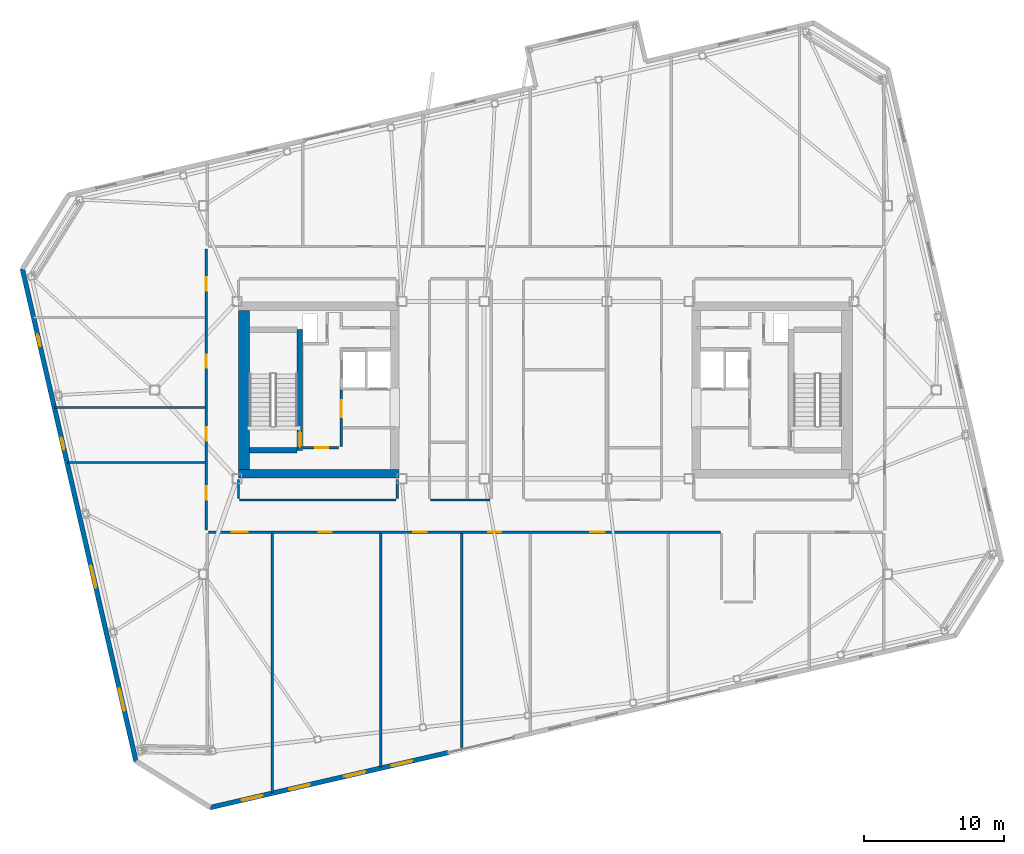
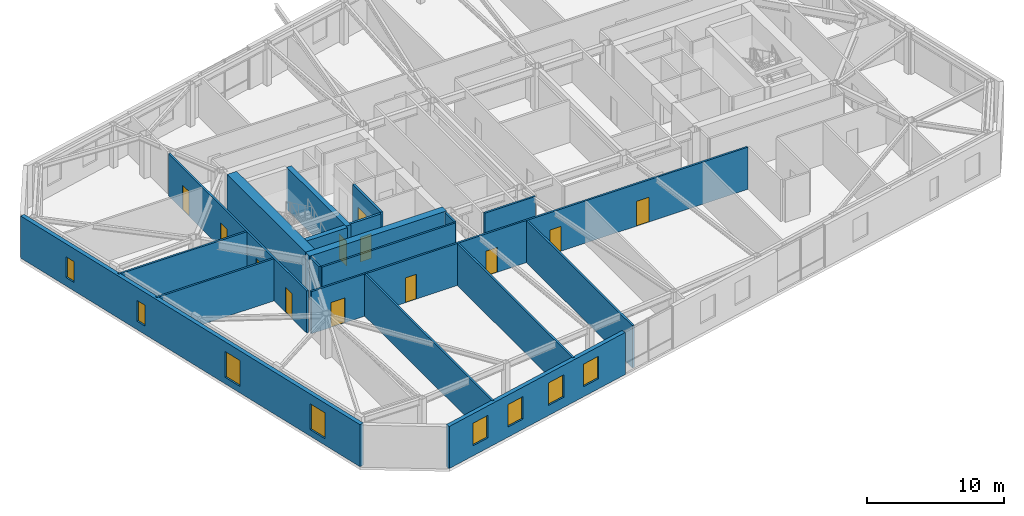
# One storey, part 15 of 22: 19 walls, 12 doors, 8 windows, 20 openings.
"""IFC4 building model written with IfcOpenShell, lengths in metres."""

import ifcopenshell
import ifcopenshell.guid

model = None  # the IFC model being written
_history = None  # IfcOwnerHistory: only IFC2X3 demands one
_inside = {}  # id of a spatial element -> (the spatial element, [elements in it])
_under = {}  # id of a project, library or spatial element -> (it, [spatial elements below it])
_declared = {}  # id of a project -> (the project, [libraries it declares])
_typed = {}  # id of a type object -> (the type object, [elements of that type])
_made_of = {}  # id of a material, layer set ... -> (it, [elements and type objects made of it])


def new_model(schema):
    """Start an empty IFC model of exactly this schema.

    Asked for "IFC4X3", IfcOpenShell would pick the latest addendum, in which some entities
    have other attributes; the version numbers below select the first issue.
    IFC2X3 requires an IfcOwnerHistory on every rooted entity: one is made here for all.
    """
    global model, _history
    if schema == "IFC4X3":
        model = ifcopenshell.file(schema_version=(4, 3, 0, 0))
    else:
        model = ifcopenshell.file(schema=schema)
    _inside.clear()
    _under.clear()
    _declared.clear()
    _typed.clear()
    _made_of.clear()
    _history = None
    if model.schema == "IFC2X3":
        org = make("IfcOrganization", Name="unknown")
        user = make(
            "IfcPersonAndOrganization",
            ThePerson=make("IfcPerson", FamilyName="unknown"),
            TheOrganization=org,
        )
        app = make(
            "IfcApplication",
            ApplicationDeveloper=org,
            Version="unknown",
            ApplicationFullName="unknown",
            ApplicationIdentifier="unknown",
        )
        _history = make(
            "IfcOwnerHistory",
            OwningUser=user,
            OwningApplication=app,
            ChangeAction="ADDED",
            CreationDate=0,
        )
    return model


def make(cls, **values):
    """One entity of the class cls with the attributes given. An attribute that is None is left unset."""
    return model.create_entity(
        cls, **{name: value for name, value in values.items() if value is not None}
    )


def rooted(cls, **values):
    """An entity with a GlobalId (a new one), such as an element, a storey or a relation."""
    return make(cls, GlobalId=ifcopenshell.guid.new(), OwnerHistory=_history, **values)


def si_unit(unit_type, name, prefix=None):
    """IfcSIUnit, for example si_unit("LENGTHUNIT", "METRE", prefix="MILLI")."""
    return make("IfcSIUnit", UnitType=unit_type, Prefix=prefix, Name=name)


def assignment(units):
    """IfcUnitAssignment: the units of a project."""
    return None if units is None else make("IfcUnitAssignment", Units=units)


def point(xyz):
    """IfcCartesianPoint."""
    return None if xyz is None else make("IfcCartesianPoint", Coordinates=xyz)


def direction(xyz):
    """IfcDirection."""
    return None if xyz is None else make("IfcDirection", DirectionRatios=xyz)


def frame(location, z_axis=None, x_axis=None):
    """IfcAxis2Placement3D, a coordinate frame: its origin and axes. An axis left out is left unset."""
    return make(
        "IfcAxis2Placement3D",
        Location=point(location),
        Axis=direction(z_axis),
        RefDirection=direction(x_axis),
    )


def frame_2d(location, x_axis=None):
    """IfcAxis2Placement2D, a coordinate frame in the plane: its origin and x axis."""
    return make(
        "IfcAxis2Placement2D", Location=point(location), RefDirection=direction(x_axis)
    )


def origin():
    """The frame at (0, 0, 0) with its axes left unset."""
    return frame((0.0, 0.0, 0.0))


def place(relative_to, where):
    """IfcLocalPlacement: puts the frame where relative to a parent placement (None: the world)."""
    return make(
        "IfcLocalPlacement", PlacementRelTo=relative_to, RelativePlacement=where
    )


def context(
    kind, dimensions, precision=None, world=None, true_north=None, identifier=None
):
    """IfcGeometricRepresentationContext, for example the 3D "Model" context."""
    return make(
        "IfcGeometricRepresentationContext",
        ContextIdentifier=identifier,
        ContextType=kind,
        CoordinateSpaceDimension=dimensions,
        Precision=precision,
        WorldCoordinateSystem=world,
        TrueNorth=true_north,
    )


def subcontext(parent, identifier, kind, view, scale=None):
    """IfcGeometricRepresentationSubContext, for example "Body" below "Model"."""
    return make(
        "IfcGeometricRepresentationSubContext",
        ContextIdentifier=identifier,
        ContextType=kind,
        ParentContext=parent,
        TargetScale=scale,
        TargetView=view,
    )


def project(units=None, contexts=None):
    """IfcProject with its units and contexts."""
    return rooted(
        "IfcProject",
        Name="project",
        RepresentationContexts=contexts,
        UnitsInContext=assignment(units),
    )


def spatial(cls, under=None, at=None, **own):
    """A site, building, storey or space (cls), placed at a placement, below another one or the project."""
    s = rooted(cls, ObjectPlacement=at, **own)
    if under is not None:
        _under.setdefault(under.id(), (under, []))[1].append(s)
    return s


def profile(cls, at=None, kind="AREA", **sizes):
    """A parametric profile (cls). Its sizes go by their IFC names, for example OverallWidth=200.0."""
    return make(cls, ProfileType=kind, Position=at, **sizes)


def rectangle(**sizes):
    """IfcRectangleProfileDef."""
    return profile("IfcRectangleProfileDef", **sizes)


def extrude(swept, where, along, depth):
    """IfcExtrudedAreaSolid: the profile swept, set in the frame where, extruded along a direction by depth."""
    return make(
        "IfcExtrudedAreaSolid",
        SweptArea=swept,
        Position=where,
        ExtrudedDirection=direction(along),
        Depth=depth,
    )


def shape(context_of_items, identifier, shape_type, items):
    """IfcShapeRepresentation: the items that make up one representation, for example the "Body"."""
    return make(
        "IfcShapeRepresentation",
        ContextOfItems=context_of_items,
        RepresentationIdentifier=identifier,
        RepresentationType=shape_type,
        Items=items,
    )


def material(Name=None, Category=None):
    """IfcMaterial."""
    return make("IfcMaterial", Name=Name, Category=Category)


def layer(
    of_material, thickness, ventilated=None, Name=None, Category=None, Priority=None
):
    """IfcMaterialLayer: one layer of a wall or slab, of a material (None: an air gap)."""
    return make(
        "IfcMaterialLayer",
        Material=of_material,
        LayerThickness=thickness,
        IsVentilated=ventilated,
        Name=Name,
        Category=Category,
        Priority=Priority,
    )


def layer_set(layers, Name=None):
    """IfcMaterialLayerSet."""
    return make("IfcMaterialLayerSet", MaterialLayers=layers, LayerSetName=Name)


def made_of(thing, what):
    """Note that an element or type object is made of a material, layer set ...; save() writes the relation."""
    if what is not None:
        _made_of.setdefault(what.id(), (what, []))[1].append(thing)
    return thing


def type_object(cls, material=None, **own):
    """A type object (cls), such as IfcWallType, which elements share."""
    return made_of(rooted(cls, **own), material)


def element(
    cls,
    number,
    at=None,
    inside=None,
    cuts=None,
    type_object=None,
    material=None,
    context=None,
    identifier="Body",
    shape_type=None,
    held_by="IfcProductDefinitionShape",
    body=None,
    shapes=None,
    **own,
):
    """One element of the class cls, such as IfcWall. Its Tag is "e" and its number.

    at: its placement. inside: the storey or other place that contains it. cuts: it is an
    opening in that element (IfcRelVoidsElement). A single representation is given by context,
    identifier, shape_type and body (its items); several are given by shapes. held_by: the class
    of the entity that holds the representations. save() writes the other relations.
    """
    e = rooted(cls, Tag="e%d" % number, ObjectPlacement=at, **own)
    if body is not None:
        shapes = [shape(context, identifier, shape_type, body)]
    if shapes is not None:
        e.Representation = make(held_by, Representations=shapes)
    if inside is not None:
        _inside.setdefault(inside.id(), (inside, []))[1].append(e)
    if cuts is not None:
        rooted(
            "IfcRelVoidsElement", RelatingBuildingElement=cuts, RelatedOpeningElement=e
        )
    if type_object is not None:
        _typed.setdefault(type_object.id(), (type_object, []))[1].append(e)
    return made_of(e, material)


def fill(opening, filler):
    """IfcRelFillsElement: the door or window that sits in an opening."""
    return rooted(
        "IfcRelFillsElement",
        RelatingOpeningElement=opening,
        RelatedBuildingElement=filler,
    )


def aggregate(whole, parts):
    """IfcRelAggregates: a whole, such as a stair, and the parts it consists of."""
    return rooted("IfcRelAggregates", RelatingObject=whole, RelatedObjects=parts)


def save(model, path):
    """Write the relations noted so far, then the file.

    IfcRelAggregates (storeys below a building ...), IfcRelContainedInSpatialStructure (elements
    in a storey), IfcRelDefinesByType, IfcRelAssociatesMaterial and IfcRelDeclares: one each for
    every whole, place, type object, material and project.
    """
    for whole, parts in _under.values():
        aggregate(whole, parts)
    for where, things in _inside.values():
        rooted(
            "IfcRelContainedInSpatialStructure",
            RelatedElements=things,
            RelatingStructure=where,
        )
    for kind, things in _typed.values():
        rooted("IfcRelDefinesByType", RelatedObjects=things, RelatingType=kind)
    for what, things in _made_of.values():
        rooted("IfcRelAssociatesMaterial", RelatedObjects=things, RelatingMaterial=what)
    for by, libraries in _declared.values():
        rooted("IfcRelDeclares", RelatingContext=by, RelatedDefinitions=libraries)
    model.write(path)


model = new_model("IFC4")

# Units and contexts
model_context = context("Model", 3, precision=1e-05, world=origin(), true_north=direction((0.0, 1.0)))
body_context = subcontext(model_context, "Body", "Model", "MODEL_VIEW")
ifc_project = project(units=[si_unit("LENGTHUNIT", "METRE"), si_unit("AREAUNIT", "SQUARE_METRE"), si_unit("VOLUMEUNIT", "CUBIC_METRE"), si_unit("PLANEANGLEUNIT", "RADIAN"), si_unit("MASSUNIT", "GRAM", prefix="KILO")], contexts=[model_context])

# Site, building, storey
site_placement = place(None, origin())
site = spatial("IfcSite", under=ifc_project, at=site_placement, CompositionType="ELEMENT")
building_placement = place(site_placement, origin())
building = spatial("IfcBuilding", under=site, at=building_placement, Name="Tavrogorsk Clinical Tower", CompositionType="ELEMENT")
storey_placement = place(building_placement, frame((0.0, 0.0, 317.0)))
storey = spatial("IfcBuildingStorey", under=building, at=storey_placement, Name="L74", CompositionType="ELEMENT", Elevation=317.0)

# Wall, opening, door
ifc_material_1 = material(Name="Concrete B60", Category="concrete")
ifc_layer_1 = layer(ifc_material_1, 0.199951171875)
ifc_layer_set_1 = layer_set([ifc_layer_1], Name="Concrete B60")
wall_type_1 = type_object("IfcWallType", Name="CoreFireWall_200", PredefinedType="SOLIDWALL", material=ifc_layer_set_1)
wall_1_placement = place(storey_placement, frame((-17.3798828125, -4.139892578125, 0.0), z_axis=(0.0, 0.0, 1.0), x_axis=(1.0, 0.0, 0.0)))
wall_1 = element("IfcWall", 1, at=wall_1_placement, inside=storey, type_object=wall_type_1, Name="L74 Core West South Core Room Fire Wall", PredefinedType="SOLIDWALL", context=body_context, shape_type="SweptSolid", body=[
    extrude(rectangle(XDim=2.554931640625, YDim=0.199951171875, at=frame_2d((1.27734375, 0.0))), origin(), (0.0, 0.0, 1.0), 3.739990234375),
])
opening_1_placement = place(wall_1_placement, frame((0.8798828125, 0.0, 0.0)))
opening_1 = element("IfcOpeningElement", 2, at=opening_1_placement, cuts=wall_1, Name="Opening ID-02", PredefinedType="OPENING", context=body_context, shape_type="SweptSolid", body=[
    extrude(rectangle(XDim=0.949951171875, YDim=2.199951171875, at=frame_2d((0.47509765625, 1.10009765625))), frame((0.0, 0.10986328125, 0.0), z_axis=(0.0, -1.0, 0.0), x_axis=(1.0, 0.0, 0.0)), (0.0, 0.0, 1.0), 0.219970703125),
])
ifc_material_2 = material(Name="Laminated timber leaf on aluminium frame", Category="wood")
door_type_1 = type_object("IfcDoorType", Name="InteriorDoor_ID02_950", OperationType="NOTDEFINED", PredefinedType="DOOR", material=ifc_material_2)
door_1_placement = place(opening_1_placement, origin())
door_1 = element("IfcDoor", 3, at=door_1_placement, inside=storey, type_object=door_type_1, Name="L74 Core West South Core Room Door", OperationType="SINGLE_SWING_RIGHT", OverallHeight=2.199951171875, OverallWidth=0.949951171875, PredefinedType="DOOR", context=body_context, shape_type="SweptSolid", body=[
    extrude(rectangle(XDim=0.949951171875, YDim=2.199951171875, at=frame_2d((0.47509765625, 1.10009765625))), frame((0.0, 0.02490234375, 0.0), z_axis=(0.0, -1.0, 0.0), x_axis=(1.0, 0.0, 0.0)), (0.0, 0.0, 1.0), 0.050048828125),
])
fill(opening_1, door_1)

wall_2_placement = place(storey_placement, frame((-14.639892578125, -4.034912109375, 0.0), z_axis=(0.0, 0.0, 1.0), x_axis=(0.0, 1.0, 0.0)))
wall_2 = element("IfcWall", 4, at=wall_2_placement, inside=storey, type_object=wall_type_1, Name="L74 Core West Firefighting Lobby Fire Wall", PredefinedType="SOLIDWALL", context=body_context, shape_type="SweptSolid", body=[
    extrude(rectangle(XDim=4.074951171875, YDim=0.199951171875, at=frame_2d((2.03759765625, 0.0))), origin(), (0.0, 0.0, 1.0), 3.739990234375),
])
opening_2_placement = place(wall_2_placement, frame((2.090087890625, 0.0, 0.0)))
opening_2 = element("IfcOpeningElement", 5, at=opening_2_placement, cuts=wall_2, Name="Opening FD-01", PredefinedType="OPENING", context=body_context, shape_type="SweptSolid", body=[
    extrude(rectangle(XDim=1.199951171875, YDim=2.199951171875, at=frame_2d((0.60009765625, 1.10009765625))), frame((0.0, 0.10986328125, 0.0), z_axis=(0.0, -1.0, 0.0), x_axis=(1.0, 0.0, 0.0)), (0.0, 0.0, 1.0), 0.219970703125),
])
ifc_material_3 = material(Name="Galvanised steel fire-rated door assembly", Category="steel")
door_type_2 = type_object("IfcDoorType", Name="FireDoor_FD01_1200", OperationType="NOTDEFINED", PredefinedType="DOOR", material=ifc_material_3)
door_2_placement = place(opening_2_placement, origin())
door_2 = element("IfcDoor", 6, at=door_2_placement, inside=storey, type_object=door_type_2, Name="L74 Core West Firefighting Lobby Entry Door", OperationType="SINGLE_SWING_RIGHT", OverallHeight=2.199951171875, OverallWidth=1.199951171875, PredefinedType="DOOR", context=body_context, shape_type="SweptSolid", body=[
    extrude(rectangle(XDim=1.199951171875, YDim=2.199951171875, at=frame_2d((0.60009765625, 1.10009765625))), frame((0.0, 0.02490234375, 0.0), z_axis=(0.0, -1.0, 0.0), x_axis=(1.0, 0.0, 0.0)), (0.0, 0.0, 1.0), 0.050048828125),
])
fill(opening_2, door_2)

# Wall, openings, doors
ifc_material_4 = material(Name="Lightweight concrete blockwork B15", Category="masonry")
ifc_layer_2 = layer(ifc_material_4, 0.159912109375)
ifc_layer_set_2 = layer_set([ifc_layer_2], Name="Lightweight concrete blockwork B15")
wall_type_2 = type_object("IfcWallType", Name="PartitionWall_160", PredefinedType="PARTITIONING", material=ifc_layer_set_2)
wall_3_placement = place(storey_placement, frame((-24.31005859375, -10.014892578125, 0.0), z_axis=(0.0, 0.0, 1.0), x_axis=(0.0, 1.0, 0.0)))
wall_3 = element("IfcWall", 7, at=wall_3_placement, inside=storey, type_object=wall_type_2, Name="L74 Corridor Partition 01", PredefinedType="PARTITIONING", context=body_context, shape_type="SweptSolid", body=[
    extrude(rectangle(XDim=20.1298828125, YDim=0.159912109375, at=frame_2d((10.06494140625, 0.0))), origin(), (0.0, 0.0, 1.0), 3.739990234375),
])
opening_3_placement = place(wall_3_placement, frame((2.169189453125, 0.0, 0.0)))
opening_3 = element("IfcOpeningElement", 8, at=opening_3_placement, cuts=wall_3, Name="Opening ID-02", PredefinedType="OPENING", context=body_context, shape_type="SweptSolid", body=[
    extrude(rectangle(XDim=0.949951171875, YDim=2.199951171875, at=frame_2d((0.47509765625, 1.10009765625))), frame((0.0, 0.08984375, 0.0), z_axis=(0.0, -1.0, 0.0), x_axis=(1.0, 0.0, 0.0)), (0.0, 0.0, 1.0), 0.179931640625),
])
opening_4_placement = place(wall_3_placement, frame((6.39990234375, 0.0, 0.0)))
opening_4 = element("IfcOpeningElement", 9, at=opening_4_placement, cuts=wall_3, Name="Opening ID-02", PredefinedType="OPENING", context=body_context, shape_type="SweptSolid", body=[
    extrude(rectangle(XDim=0.949951171875, YDim=2.199951171875, at=frame_2d((0.47509765625, 1.10009765625))), frame((0.0, 0.08984375, 0.0), z_axis=(0.0, -1.0, 0.0), x_axis=(1.0, 0.0, 0.0)), (0.0, 0.0, 1.0), 0.179931640625),
])
opening_5_placement = place(wall_3_placement, frame((11.60009765625, 0.0, 0.0)))
opening_5 = element("IfcOpeningElement", 10, at=opening_5_placement, cuts=wall_3, Name="Opening ID-02", PredefinedType="OPENING", context=body_context, shape_type="SweptSolid", body=[
    extrude(rectangle(XDim=0.949951171875, YDim=2.199951171875, at=frame_2d((0.47509765625, 1.10009765625))), frame((0.0, 0.08984375, 0.0), z_axis=(0.0, -1.0, 0.0), x_axis=(1.0, 0.0, 0.0)), (0.0, 0.0, 1.0), 0.179931640625),
])
opening_6_placement = place(wall_3_placement, frame((17.130859375, 0.0, 0.0)))
opening_6 = element("IfcOpeningElement", 11, at=opening_6_placement, cuts=wall_3, Name="Opening ID-02", PredefinedType="OPENING", context=body_context, shape_type="SweptSolid", body=[
    extrude(rectangle(XDim=0.949951171875, YDim=2.199951171875, at=frame_2d((0.47509765625, 1.10009765625))), frame((0.0, 0.08984375, 0.0), z_axis=(0.0, -1.0, 0.0), x_axis=(1.0, 0.0, 0.0)), (0.0, 0.0, 1.0), 0.179931640625),
])
door_3_placement = place(opening_3_placement, origin())
door_3 = element("IfcDoor", 12, at=door_3_placement, inside=storey, type_object=door_type_1, Name="L74 W Solarium Day Room & Lounge 1 Door", OperationType="SINGLE_SWING_RIGHT", OverallHeight=2.199951171875, OverallWidth=0.949951171875, PredefinedType="DOOR", context=body_context, shape_type="SweptSolid", body=[
    extrude(rectangle(XDim=0.949951171875, YDim=2.199951171875, at=frame_2d((0.47509765625, 1.10009765625))), frame((0.0, 0.02490234375, 0.0), z_axis=(0.0, -1.0, 0.0), x_axis=(1.0, 0.0, 0.0)), (0.0, 0.0, 1.0), 0.050048828125),
])
fill(opening_3, door_3)
door_4_placement = place(opening_4_placement, origin())
door_4 = element("IfcDoor", 13, at=door_4_placement, inside=storey, type_object=door_type_1, Name="L74 W Rehabilitation Therapy Suite 2 Door", OperationType="SINGLE_SWING_LEFT", OverallHeight=2.199951171875, OverallWidth=0.949951171875, PredefinedType="DOOR", context=body_context, shape_type="SweptSolid", body=[
    extrude(rectangle(XDim=0.949951171875, YDim=2.199951171875, at=frame_2d((0.47509765625, 1.10009765625))), frame((0.0, 0.02490234375, 0.0), z_axis=(0.0, -1.0, 0.0), x_axis=(1.0, 0.0, 0.0)), (0.0, 0.0, 1.0), 0.050048828125),
])
fill(opening_4, door_4)
door_5_placement = place(opening_5_placement, origin())
door_5 = element("IfcDoor", 14, at=door_5_placement, inside=storey, type_object=door_type_1, Name="L74 W Sub-Acute Observation Suite 3 Door", OperationType="SINGLE_SWING_RIGHT", OverallHeight=2.199951171875, OverallWidth=0.949951171875, PredefinedType="DOOR", context=body_context, shape_type="SweptSolid", body=[
    extrude(rectangle(XDim=0.949951171875, YDim=2.199951171875, at=frame_2d((0.47509765625, 1.10009765625))), frame((0.0, 0.02490234375, 0.0), z_axis=(0.0, -1.0, 0.0), x_axis=(1.0, 0.0, 0.0)), (0.0, 0.0, 1.0), 0.050048828125),
])
fill(opening_5, door_5)
door_6_placement = place(opening_6_placement, origin())
door_6 = element("IfcDoor", 15, at=door_6_placement, inside=storey, type_object=door_type_1, Name="L74 W Family Consultation Lounge 4 Door", OperationType="SINGLE_SWING_LEFT", OverallHeight=2.199951171875, OverallWidth=0.949951171875, PredefinedType="DOOR", context=body_context, shape_type="SweptSolid", body=[
    extrude(rectangle(XDim=0.949951171875, YDim=2.199951171875, at=frame_2d((0.47509765625, 1.10009765625))), frame((0.0, 0.02490234375, 0.0), z_axis=(0.0, -1.0, 0.0), x_axis=(1.0, 0.0, 0.0)), (0.0, 0.0, 1.0), 0.050048828125),
])
fill(opening_6, door_6)

wall_4_placement = place(storey_placement, frame((12.534912109375, -10.179931640625, 0.0), z_axis=(0.0, 0.0, 1.0), x_axis=(-1.0, 0.0, 0.0)))
wall_4 = element("IfcWall", 16, at=wall_4_placement, inside=storey, type_object=wall_type_2, Name="L74 Corridor Partition 08", PredefinedType="PARTITIONING", context=body_context, shape_type="SweptSolid", body=[
    extrude(rectangle(XDim=36.679931640625, YDim=0.159912109375, at=frame_2d((18.33984375, 0.0))), origin(), (0.0, 0.0, 1.0), 3.739990234375),
])
opening_7_placement = place(wall_4_placement, frame((33.85595703125, 0.0, 0.0)))
opening_7 = element("IfcOpeningElement", 17, at=opening_7_placement, cuts=wall_4, Name="Opening ID-06", PredefinedType="OPENING", context=body_context, shape_type="SweptSolid", body=[
    extrude(rectangle(XDim=1.14990234375, YDim=2.199951171875, at=frame_2d((0.574951171875, 1.10009765625))), frame((0.0, 0.08984375, 0.0), z_axis=(0.0, -1.0, 0.0), x_axis=(1.0, 0.0, 0.0)), (0.0, 0.0, 1.0), 0.179931640625),
])
opening_8_placement = place(wall_4_placement, frame((27.8349609375, 0.0, 0.0)))
opening_8 = element("IfcOpeningElement", 18, at=opening_8_placement, cuts=wall_4, Name="Opening ID-02", PredefinedType="OPENING", context=body_context, shape_type="SweptSolid", body=[
    extrude(rectangle(XDim=0.949951171875, YDim=2.199951171875, at=frame_2d((0.47509765625, 1.10009765625))), frame((0.0, 0.08984375, 0.0), z_axis=(0.0, -1.0, 0.0), x_axis=(1.0, 0.0, 0.0)), (0.0, 0.0, 1.0), 0.179931640625),
])
opening_9_placement = place(wall_4_placement, frame((21.04248046875, 0.0, 0.0)))
opening_9 = element("IfcOpeningElement", 19, at=opening_9_placement, cuts=wall_4, Name="Opening ID-02", PredefinedType="OPENING", context=body_context, shape_type="SweptSolid", body=[
    extrude(rectangle(XDim=0.949951171875, YDim=2.199951171875, at=frame_2d((0.47509765625, 1.10009765625))), frame((0.0, 0.08984375, 0.0), z_axis=(0.0, -1.0, 0.0), x_axis=(1.0, 0.0, 0.0)), (0.0, 0.0, 1.0), 0.179931640625),
])
opening_10_placement = place(wall_4_placement, frame((15.6875, 0.0, 0.0)))
opening_10 = element("IfcOpeningElement", 20, at=opening_10_placement, cuts=wall_4, Name="Opening ID-02", PredefinedType="OPENING", context=body_context, shape_type="SweptSolid", body=[
    extrude(rectangle(XDim=0.949951171875, YDim=2.199951171875, at=frame_2d((0.47509765625, 1.10009765625))), frame((0.0, 0.08984375, 0.0), z_axis=(0.0, -1.0, 0.0), x_axis=(1.0, 0.0, 0.0)), (0.0, 0.0, 1.0), 0.179931640625),
])
opening_11_placement = place(wall_4_placement, frame((8.2900390625, 0.0, 0.0)))
opening_11 = element("IfcOpeningElement", 21, at=opening_11_placement, cuts=wall_4, Name="Opening ID-04", PredefinedType="OPENING", context=body_context, shape_type="SweptSolid", body=[
    extrude(rectangle(XDim=1.050048828125, YDim=2.199951171875, at=frame_2d((0.52490234375, 1.10009765625))), frame((0.0, 0.08984375, 0.0), z_axis=(0.0, -1.0, 0.0), x_axis=(1.0, 0.0, 0.0)), (0.0, 0.0, 1.0), 0.179931640625),
])
ifc_material_5 = material(Name="Antibacterial HPL consultation door on aluminium frame", Category="aluminium")
door_type_3 = type_object("IfcDoorType", Name="ConsultDoor_ID04_1050", OperationType="NOTDEFINED", PredefinedType="DOOR", material=ifc_material_5)
door_7_placement = place(opening_11_placement, origin())
door_7 = element("IfcDoor", 22, at=door_7_placement, inside=storey, type_object=door_type_3, Name="L74 South Sleep Diagnostics Control Office 04 Door", OperationType="SINGLE_SWING_LEFT", OverallHeight=2.199951171875, OverallWidth=1.050048828125, PredefinedType="DOOR", context=body_context, shape_type="SweptSolid", body=[
    extrude(rectangle(XDim=1.050048828125, YDim=2.199951171875, at=frame_2d((0.52490234375, 1.10009765625))), frame((0.0, 0.02490234375, 0.0), z_axis=(0.0, -1.0, 0.0), x_axis=(1.0, 0.0, 0.0)), (0.0, 0.0, 1.0), 0.050048828125),
])
fill(opening_11, door_7)
door_8_placement = place(opening_8_placement, origin())
door_8 = element("IfcDoor", 23, at=door_8_placement, inside=storey, type_object=door_type_1, Name="L74 South Sleep Diagnostics Control Office 02 Door", OperationType="SINGLE_SWING_RIGHT", OverallHeight=2.199951171875, OverallWidth=0.949951171875, PredefinedType="DOOR", context=body_context, shape_type="SweptSolid", body=[
    extrude(rectangle(XDim=0.949951171875, YDim=2.199951171875, at=frame_2d((0.47509765625, 1.10009765625))), frame((0.0, 0.02490234375, 0.0), z_axis=(0.0, -1.0, 0.0), x_axis=(1.0, 0.0, 0.0)), (0.0, 0.0, 1.0), 0.050048828125),
])
fill(opening_8, door_8)
door_9_placement = place(opening_9_placement, origin())
door_9 = element("IfcDoor", 24, at=door_9_placement, inside=storey, type_object=door_type_1, Name="L74 South Medical Records & Specimen Store 03A Door", OperationType="SINGLE_SWING_LEFT", OverallHeight=2.199951171875, OverallWidth=0.949951171875, PredefinedType="DOOR", context=body_context, shape_type="SweptSolid", body=[
    extrude(rectangle(XDim=0.949951171875, YDim=2.199951171875, at=frame_2d((0.47509765625, 1.10009765625))), frame((0.0, 0.02490234375, 0.0), z_axis=(0.0, -1.0, 0.0), x_axis=(1.0, 0.0, 0.0)), (0.0, 0.0, 1.0), 0.050048828125),
])
fill(opening_9, door_9)
door_10_placement = place(opening_10_placement, origin())
door_10 = element("IfcDoor", 25, at=door_10_placement, inside=storey, type_object=door_type_1, Name="L74 South Preventive Medicine Consultation Office 03B Door", OperationType="SINGLE_SWING_RIGHT", OverallHeight=2.199951171875, OverallWidth=0.949951171875, PredefinedType="DOOR", context=body_context, shape_type="SweptSolid", body=[
    extrude(rectangle(XDim=0.949951171875, YDim=2.199951171875, at=frame_2d((0.47509765625, 1.10009765625))), frame((0.0, 0.02490234375, 0.0), z_axis=(0.0, -1.0, 0.0), x_axis=(1.0, 0.0, 0.0)), (0.0, 0.0, 1.0), 0.050048828125),
])
fill(opening_10, door_10)
ifc_material_6 = material(Name="Antibacterial HPL procedure door on aluminium frame", Category="aluminium")
door_type_4 = type_object("IfcDoorType", Name="LabDoor_ID06_1150", OperationType="NOTDEFINED", PredefinedType="DOOR", material=ifc_material_6)
door_11_placement = place(opening_7_placement, origin())
door_11 = element("IfcDoor", 26, at=door_11_placement, inside=storey, type_object=door_type_4, Name="L74 South Medical Records & Specimen Store 01 Door", OperationType="SINGLE_SWING_LEFT", OverallHeight=2.199951171875, OverallWidth=1.14990234375, PredefinedType="DOOR", context=body_context, shape_type="SweptSolid", body=[
    extrude(rectangle(XDim=1.14990234375, YDim=2.199951171875, at=frame_2d((0.574951171875, 1.10009765625))), frame((0.0, 0.02490234375, 0.0), z_axis=(0.0, -1.0, 0.0), x_axis=(1.0, 0.0, 0.0)), (0.0, 0.0, 1.0), 0.050048828125),
])
fill(opening_7, door_11)

# Walls
wall_5_placement = place(storey_placement, frame((-8.235107421875, -7.8701171875, 0.0), z_axis=(0.0, 0.0, 1.0), x_axis=(1.0, 0.0, 0.0)))
element("IfcWall", 27, at=wall_5_placement, inside=storey, type_object=wall_type_2, Name="L74 Corridor Partition 22", PredefinedType="PARTITIONING", context=body_context, shape_type="SweptSolid", body=[
    extrude(rectangle(XDim=4.27001953125, YDim=0.159912109375, at=frame_2d((2.135009765625, 0.0))), origin(), (0.0, 0.0, 1.0), 3.739990234375),
])
for number, where, z_axis, x_axis, name in (
    (28, (-10.6298828125, -7.784912109375, 0.0), (0.0, 0.0, 1.0), (0.0, 1.0, 0.0), "L74 Corridor Partition 23"),
    (29, (-22.0, -6.419921875, 0.0), (0.0, 0.0, 1.0), (0.0, -1.0, 0.0), "L74 Corridor Partition 27"),
):
    element("IfcWall", number, at=place(storey_placement, frame(where, z_axis=z_axis, x_axis=x_axis)), inside=storey, type_object=wall_type_2, Name=name, PredefinedType="PARTITIONING", context=body_context, shape_type="SweptSolid", body=[
        extrude(rectangle(XDim=1.364990234375, YDim=0.159912109375, at=frame_2d((0.6826171875, 0.0))), origin(), (0.0, 0.0, 1.0), 3.739990234375),
    ])
wall_6_placement = place(storey_placement, frame((-21.9150390625, -7.8701171875, 0.0), z_axis=(0.0, 0.0, 1.0), x_axis=(1.0, 0.0, 0.0)))
element("IfcWall", 30, at=wall_6_placement, inside=storey, type_object=wall_type_2, Name="L74 Corridor Partition 28", PredefinedType="PARTITIONING", context=body_context, shape_type="SweptSolid", body=[
    extrude(rectangle(XDim=11.199951171875, YDim=0.159912109375, at=frame_2d((5.60009765625, 0.0))), origin(), (0.0, 0.0, 1.0), 3.739990234375),
])
wall_7_placement = place(storey_placement, frame((-19.580078125, -28.817138671875, 0.0), z_axis=(0.0, 0.0, 1.0), x_axis=(0.0, 1.0, 0.0)))
element("IfcWall", 31, at=wall_7_placement, inside=storey, type_object=wall_type_2, Name="L74 South Room Partition 1", PredefinedType="PARTITIONING", context=body_context, shape_type="SweptSolid", body=[
    extrude(rectangle(XDim=18.55224609375, YDim=0.159912109375, at=frame_2d((9.276123046875, 0.0))), origin(), (0.0, 0.0, 1.0), 3.739990234375),
])
wall_8_placement = place(storey_placement, frame((-11.800048828125, -27.02099609375, 0.0), z_axis=(0.0, 0.0, 1.0), x_axis=(0.0, 1.0, 0.0)))
element("IfcWall", 32, at=wall_8_placement, inside=storey, type_object=wall_type_2, Name="L74 South Room Partition 2", PredefinedType="PARTITIONING", context=body_context, shape_type="SweptSolid", body=[
    extrude(rectangle(XDim=16.756103515625, YDim=0.159912109375, at=frame_2d((8.3779296875, 0.0))), origin(), (0.0, 0.0, 1.0), 3.739990234375),
])
wall_9_placement = place(storey_placement, frame((-5.9951171875, -25.680908203125, 0.0), z_axis=(0.0, 0.0, 1.0), x_axis=(0.0, 1.0, 0.0)))
element("IfcWall", 33, at=wall_9_placement, inside=storey, type_object=wall_type_2, Name="L74 South Sub-Partition 3", PredefinedType="PARTITIONING", context=body_context, shape_type="SweptSolid", body=[
    extrude(rectangle(XDim=15.416015625, YDim=0.159912109375, at=frame_2d((7.7080078125, 0.0))), origin(), (0.0, 0.0, 1.0), 3.739990234375),
])
wall_10_placement = place(storey_placement, frame((-34.26171875, -5.199951171875, 0.0), z_axis=(0.0, 0.0, 1.0), x_axis=(1.0, 0.0, 0.0)))
element("IfcWall", 34, at=wall_10_placement, inside=storey, type_object=wall_type_2, Name="L74 W Wing Divider 1", PredefinedType="PARTITIONING", context=body_context, shape_type="SweptSolid", body=[
    extrude(rectangle(XDim=9.86669921875, YDim=0.159912109375, at=frame_2d((4.933349609375, 0.0))), origin(), (0.0, 0.0, 1.0), 3.739990234375),
])
wall_11_placement = place(storey_placement, frame((-35.173583984375, -1.25, 0.0), z_axis=(0.0, 0.0, 1.0), x_axis=(1.0, 0.0, 0.0)))
element("IfcWall", 35, at=wall_11_placement, inside=storey, type_object=wall_type_2, Name="L74 W Wing Divider 2", PredefinedType="PARTITIONING", context=body_context, shape_type="SweptSolid", body=[
    extrude(rectangle(XDim=10.778564453125, YDim=0.159912109375, at=frame_2d((5.38916015625, 0.0))), origin(), (0.0, 0.0, 1.0), 3.739990234375),
])

# Wall, openings, windows
ifc_material_7 = material(Name="Precast concrete B45 with limestone cladding", Category="masonry")
ifc_layer_3 = layer(ifc_material_7, 0.340087890625)
ifc_layer_set_3 = layer_set([ifc_layer_3], Name="Precast concrete B45 with limestone cladding")
wall_type_3 = type_object("IfcWallType", Name="PrecastLimestoneWall_340", PredefinedType="STANDARD", material=ifc_layer_set_3)
wall_12_placement = place(storey_placement, frame((-24.029541015625, -29.916259765625, 0.0), z_axis=(0.0, 0.0, 1.0), x_axis=(0.974370978061, 0.224947098473, 0.0)))
wall_12 = element("IfcWall", 36, at=wall_12_placement, inside=storey, type_object=wall_type_3, Name="L74 S Limestone Facade Wall 1", PredefinedType="STANDARD", context=body_context, shape_type="SweptSolid", body=[
    extrude(rectangle(XDim=17.50634765625, YDim=0.340087890625, at=frame_2d((8.753173828125, 0.0))), origin(), (0.0, 0.0, 1.0), 3.739990234375),
])
opening_12_placement = place(wall_12_placement, frame((2.35009765625, 0.0, 0.89990234375)))
opening_12 = element("IfcOpeningElement", 37, at=opening_12_placement, cuts=wall_12, Name="Opening WN-05", PredefinedType="OPENING", context=body_context, shape_type="SweptSolid", body=[
    extrude(rectangle(XDim=1.5, YDim=2.0, at=frame_2d((0.75, 1.0))), frame((0.0, 0.179931640625, 0.0), z_axis=(0.0, -1.0, 0.0), x_axis=(1.0, 0.0, 0.0)), (0.0, 0.0, 1.0), 0.360107421875),
])
opening_13_placement = place(wall_12_placement, frame((5.81689453125, 0.0, 0.89990234375)))
opening_13 = element("IfcOpeningElement", 38, at=opening_13_placement, cuts=wall_12, Name="Opening WN-05", PredefinedType="OPENING", context=body_context, shape_type="SweptSolid", body=[
    extrude(rectangle(XDim=1.5, YDim=2.0, at=frame_2d((0.75, 1.0))), frame((0.0, 0.179931640625, 0.0), z_axis=(0.0, -1.0, 0.0), x_axis=(1.0, 0.0, 0.0)), (0.0, 0.0, 1.0), 0.360107421875),
])
opening_14_placement = place(wall_12_placement, frame((9.886474609375, 0.0, 0.89990234375)))
opening_14 = element("IfcOpeningElement", 39, at=opening_14_placement, cuts=wall_12, Name="Opening WN-05", PredefinedType="OPENING", context=body_context, shape_type="SweptSolid", body=[
    extrude(rectangle(XDim=1.5, YDim=2.0, at=frame_2d((0.75, 1.0))), frame((0.0, 0.179931640625, 0.0), z_axis=(0.0, -1.0, 0.0), x_axis=(1.0, 0.0, 0.0)), (0.0, 0.0, 1.0), 0.360107421875),
])
opening_15_placement = place(wall_12_placement, frame((13.353271484375, 0.0, 0.89990234375)))
opening_15 = element("IfcOpeningElement", 40, at=opening_15_placement, cuts=wall_12, Name="Opening WN-05", PredefinedType="OPENING", context=body_context, shape_type="SweptSolid", body=[
    extrude(rectangle(XDim=1.5, YDim=2.0, at=frame_2d((0.75, 1.0))), frame((0.0, 0.179931640625, 0.0), z_axis=(0.0, -1.0, 0.0), x_axis=(1.0, 0.0, 0.0)), (0.0, 0.0, 1.0), 0.360107421875),
])
ifc_material_8 = material(Name="Thermally broken aluminium frame and triple IGU", Category="aluminium")
window_type_1 = type_object("IfcWindowType", Name="ConsultWin_1500x2000", PartitioningType="SINGLE_PANEL", PredefinedType="WINDOW", material=ifc_material_8)
window_1_placement = place(opening_12_placement, origin())
window_1 = element("IfcWindow", 41, at=window_1_placement, inside=storey, type_object=window_type_1, Name="L74 S Chicago Window 01", OverallHeight=2.0, OverallWidth=1.5, PartitioningType="SINGLE_PANEL", PredefinedType="WINDOW", context=body_context, shape_type="SweptSolid", body=[
    extrude(rectangle(XDim=1.5, YDim=2.0, at=frame_2d((0.75, 1.0))), frame((0.0, 0.030029296875, 0.0), z_axis=(0.0, -1.0, 0.0), x_axis=(1.0, 0.0, 0.0)), (0.0, 0.0, 1.0), 0.06005859375),
])
fill(opening_12, window_1)
window_2_placement = place(opening_13_placement, origin())
window_2 = element("IfcWindow", 42, at=window_2_placement, inside=storey, type_object=window_type_1, Name="L74 S Chicago Window 02", OverallHeight=2.0, OverallWidth=1.5, PartitioningType="SINGLE_PANEL", PredefinedType="WINDOW", context=body_context, shape_type="SweptSolid", body=[
    extrude(rectangle(XDim=1.5, YDim=2.0, at=frame_2d((0.75, 1.0))), frame((0.0, 0.030029296875, 0.0), z_axis=(0.0, -1.0, 0.0), x_axis=(1.0, 0.0, 0.0)), (0.0, 0.0, 1.0), 0.06005859375),
])
fill(opening_13, window_2)
window_3_placement = place(opening_14_placement, origin())
window_3 = element("IfcWindow", 43, at=window_3_placement, inside=storey, type_object=window_type_1, Name="L74 S Chicago Window 03", OverallHeight=2.0, OverallWidth=1.5, PartitioningType="SINGLE_PANEL", PredefinedType="WINDOW", context=body_context, shape_type="SweptSolid", body=[
    extrude(rectangle(XDim=1.5, YDim=2.0, at=frame_2d((0.75, 1.0))), frame((0.0, 0.030029296875, 0.0), z_axis=(0.0, -1.0, 0.0), x_axis=(1.0, 0.0, 0.0)), (0.0, 0.0, 1.0), 0.06005859375),
])
fill(opening_14, window_3)
window_4_placement = place(opening_15_placement, origin())
window_4 = element("IfcWindow", 44, at=window_4_placement, inside=storey, type_object=window_type_1, Name="L74 S Chicago Window 04", OverallHeight=2.0, OverallWidth=1.5, PartitioningType="SINGLE_PANEL", PredefinedType="WINDOW", context=body_context, shape_type="SweptSolid", body=[
    extrude(rectangle(XDim=1.5, YDim=2.0, at=frame_2d((0.75, 1.0))), frame((0.0, 0.030029296875, 0.0), z_axis=(0.0, -1.0, 0.0), x_axis=(1.0, 0.0, 0.0)), (0.0, 0.0, 1.0), 0.06005859375),
])
fill(opening_15, window_4)

wall_13_placement = place(storey_placement, frame((-37.48583984375, 8.676025390625, 0.0), z_axis=(0.0, 0.0, 1.0), x_axis=(0.224953091034, -0.974369594576, 0.0)))
wall_13 = element("IfcWall", 45, at=wall_13_placement, inside=storey, type_object=wall_type_3, Name="L74 W Pleated Limestone Wing Wall", PredefinedType="STANDARD", context=body_context, shape_type="SweptSolid", body=[
    extrude(rectangle(XDim=36.199951171875, YDim=0.340087890625, at=frame_2d((18.10009765625, 0.0))), origin(), (0.0, 0.0, 1.0), 3.739990234375),
])
opening_16_placement = place(wall_13_placement, frame((4.824951171875, 0.0, 0.75)))
opening_16 = element("IfcOpeningElement", 46, at=opening_16_placement, cuts=wall_13, Name="Opening WN-06", PredefinedType="OPENING", context=body_context, shape_type="SweptSolid", body=[
    extrude(rectangle(XDim=0.85009765625, YDim=1.85009765625, at=frame_2d((0.425048828125, 0.925048828125))), frame((0.0, 0.179931640625, 0.0), z_axis=(0.0, -1.0, 0.0), x_axis=(1.0, 0.0, 0.0)), (0.0, 0.0, 1.0), 0.360107421875),
])
opening_17_placement = place(wall_13_placement, frame((12.425048828125, 0.0, 0.75)))
opening_17 = element("IfcOpeningElement", 47, at=opening_17_placement, cuts=wall_13, Name="Opening WN-06", PredefinedType="OPENING", context=body_context, shape_type="SweptSolid", body=[
    extrude(rectangle(XDim=0.85009765625, YDim=1.85009765625, at=frame_2d((0.425048828125, 0.925048828125))), frame((0.0, 0.179931640625, 0.0), z_axis=(0.0, -1.0, 0.0), x_axis=(1.0, 0.0, 0.0)), (0.0, 0.0, 1.0), 0.360107421875),
])
opening_18_placement = place(wall_13_placement, frame((21.824951171875, 0.0, 0.580078125)))
opening_18 = element("IfcOpeningElement", 48, at=opening_18_placement, cuts=wall_13, Name="Opening WN-07", PredefinedType="OPENING", context=body_context, shape_type="SweptSolid", body=[
    extrude(rectangle(XDim=1.60009765625, YDim=2.300048828125, at=frame_2d((0.800048828125, 1.14990234375))), frame((0.0, 0.179931640625, 0.0), z_axis=(0.0, -1.0, 0.0), x_axis=(1.0, 0.0, 0.0)), (0.0, 0.0, 1.0), 0.360107421875),
])
opening_19_placement = place(wall_13_placement, frame((30.875, 0.0, 0.580078125)))
opening_19 = element("IfcOpeningElement", 49, at=opening_19_placement, cuts=wall_13, Name="Opening WN-07", PredefinedType="OPENING", context=body_context, shape_type="SweptSolid", body=[
    extrude(rectangle(XDim=1.60009765625, YDim=2.300048828125, at=frame_2d((0.800048828125, 1.14990234375))), frame((0.0, 0.179931640625, 0.0), z_axis=(0.0, -1.0, 0.0), x_axis=(1.0, 0.0, 0.0)), (0.0, 0.0, 1.0), 0.360107421875),
])
ifc_material_9 = material(Name="Thermally broken aluminium frame and triple IGU", Category="aluminium")
window_type_2 = type_object("IfcWindowType", Name="MullionSubWin_850x1850", PartitioningType="SINGLE_PANEL", PredefinedType="WINDOW", material=ifc_material_9)
window_5_placement = place(opening_16_placement, origin())
window_5 = element("IfcWindow", 50, at=window_5_placement, inside=storey, type_object=window_type_2, Name="L74 W Pleat Mullion Window 1B", OverallHeight=1.85009765625, OverallWidth=0.85009765625, PartitioningType="SINGLE_PANEL", PredefinedType="WINDOW", context=body_context, shape_type="SweptSolid", body=[
    extrude(rectangle(XDim=0.85009765625, YDim=1.85009765625, at=frame_2d((0.425048828125, 0.925048828125))), frame((0.0, 0.030029296875, 0.0), z_axis=(0.0, -1.0, 0.0), x_axis=(1.0, 0.0, 0.0)), (0.0, 0.0, 1.0), 0.06005859375),
])
fill(opening_16, window_5)
window_6_placement = place(opening_17_placement, origin())
window_6 = element("IfcWindow", 51, at=window_6_placement, inside=storey, type_object=window_type_2, Name="L74 W Pleat Mullion Window 2A", OverallHeight=1.85009765625, OverallWidth=0.85009765625, PartitioningType="SINGLE_PANEL", PredefinedType="WINDOW", context=body_context, shape_type="SweptSolid", body=[
    extrude(rectangle(XDim=0.85009765625, YDim=1.85009765625, at=frame_2d((0.425048828125, 0.925048828125))), frame((0.0, 0.030029296875, 0.0), z_axis=(0.0, -1.0, 0.0), x_axis=(1.0, 0.0, 0.0)), (0.0, 0.0, 1.0), 0.06005859375),
])
fill(opening_17, window_6)
ifc_material_10 = material(Name="Thermally broken aluminium frame and triple IGU", Category="aluminium")
window_type_3 = type_object("IfcWindowType", Name="PleatSlotWin_1600x2300", PartitioningType="SINGLE_PANEL", PredefinedType="WINDOW", material=ifc_material_10)
window_7_placement = place(opening_18_placement, origin())
window_7 = element("IfcWindow", 52, at=window_7_placement, inside=storey, type_object=window_type_3, Name="L74 W Pleat Slot Window 3", OverallHeight=2.300048828125, OverallWidth=1.60009765625, PartitioningType="SINGLE_PANEL", PredefinedType="WINDOW", context=body_context, shape_type="SweptSolid", body=[
    extrude(rectangle(XDim=1.60009765625, YDim=2.300048828125, at=frame_2d((0.800048828125, 1.14990234375))), frame((0.0, 0.030029296875, 0.0), z_axis=(0.0, -1.0, 0.0), x_axis=(1.0, 0.0, 0.0)), (0.0, 0.0, 1.0), 0.06005859375),
])
fill(opening_18, window_7)
window_8_placement = place(opening_19_placement, origin())
window_8 = element("IfcWindow", 53, at=window_8_placement, inside=storey, type_object=window_type_3, Name="L74 W Pleat Slot Window 4", OverallHeight=2.300048828125, OverallWidth=1.60009765625, PartitioningType="SINGLE_PANEL", PredefinedType="WINDOW", context=body_context, shape_type="SweptSolid", body=[
    extrude(rectangle(XDim=1.60009765625, YDim=2.300048828125, at=frame_2d((0.800048828125, 1.14990234375))), frame((0.0, 0.030029296875, 0.0), z_axis=(0.0, -1.0, 0.0), x_axis=(1.0, 0.0, 0.0)), (0.0, 0.0, 1.0), 0.06005859375),
])
fill(opening_19, window_8)

# Wall, opening, door
ifc_material_11 = material(Name="Concrete B80", Category="concrete")
ifc_layer_4 = layer(ifc_material_11, 0.39990234375)
ifc_layer_set_4 = layer_set([ifc_layer_4], Name="Concrete B80")
wall_type_4 = type_object("IfcWallType", Name="ShearWall_400", PredefinedType="SHEAR", material=ifc_layer_set_4)
wall_14_placement = place(storey_placement, frame((-17.60009765625, -4.324951171875, 0.0), z_axis=(0.0, 0.0, 1.0), x_axis=(0.0, 1.0, 0.0)))
wall_14 = element("IfcWall", 54, at=wall_14_placement, inside=storey, type_object=wall_type_4, Name="L74 Core West Stair Shaft Inner Shear Wall", PredefinedType="SHEAR", context=body_context, shape_type="SweptSolid", body=[
    extrude(rectangle(XDim=8.64990234375, YDim=0.39990234375, at=frame_2d((4.324951171875, 0.0))), origin(), (0.0, 0.0, 1.0), 3.739990234375),
])
opening_20_placement = place(wall_14_placement, frame((0.25, 0.0, 0.0)))
opening_20 = element("IfcOpeningElement", 55, at=opening_20_placement, cuts=wall_14, Name="Opening SD-01", PredefinedType="OPENING", context=body_context, shape_type="SweptSolid", body=[
    extrude(rectangle(XDim=1.10009765625, YDim=2.199951171875, at=frame_2d((0.550048828125, 1.10009765625))), frame((0.0, 0.2099609375, 0.0), z_axis=(0.0, -1.0, 0.0), x_axis=(1.0, 0.0, 0.0)), (0.0, 0.0, 1.0), 0.419921875),
])
ifc_material_12 = material(Name="Galvanised steel smoke-tight fire door assembly", Category="steel")
door_type_5 = type_object("IfcDoorType", Name="StairFireDoor_SD01_1100", OperationType="NOTDEFINED", PredefinedType="DOOR", material=ifc_material_12)
door_12_placement = place(opening_20_placement, origin())
door_12 = element("IfcDoor", 56, at=door_12_placement, inside=storey, type_object=door_type_5, Name="L74 ST-W Exit Stair Door", OperationType="SINGLE_SWING_LEFT", OverallHeight=2.199951171875, OverallWidth=1.10009765625, PredefinedType="DOOR", context=body_context, shape_type="SweptSolid", body=[
    extrude(rectangle(XDim=1.10009765625, YDim=2.199951171875, at=frame_2d((0.550048828125, 1.10009765625))), frame((0.0, 0.02490234375, 0.0), z_axis=(0.0, -1.0, 0.0), x_axis=(1.0, 0.0, 0.0)), (0.0, 0.0, 1.0), 0.050048828125),
])
fill(opening_20, door_12)

# Walls
wall_15_placement = place(storey_placement, frame((-21.199951171875, -4.324951171875, 0.0), z_axis=(0.0, 0.0, 1.0), x_axis=(1.0, 0.0, 0.0)))
element("IfcWall", 57, at=wall_15_placement, inside=storey, type_object=wall_type_4, Name="L74 Core West Stair Shaft South Shear Wall", PredefinedType="SHEAR", context=body_context, shape_type="SweptSolid", body=[
    extrude(rectangle(XDim=3.39990234375, YDim=0.39990234375, at=frame_2d((1.699951171875, 0.0))), origin(), (0.0, 0.0, 1.0), 3.739990234375),
])
ifc_material_13 = material(Name="Concrete B80", Category="concrete")
ifc_layer_5 = layer(ifc_material_13, 0.60009765625)
ifc_layer_set_5 = layer_set([ifc_layer_5], Name="Concrete B80")
wall_type_5 = type_object("IfcWallType", Name="ShearWall_600", PredefinedType="SHEAR", material=ifc_layer_set_5)
wall_16_placement = place(storey_placement, frame((-22.0, -6.0, 0.0), z_axis=(0.0, 0.0, 1.0), x_axis=(1.0, 0.0, 0.0)))
element("IfcWall", 58, at=wall_16_placement, inside=storey, type_object=wall_type_5, Name="L74 Core West South Shear Wall", PredefinedType="SHEAR", context=body_context, shape_type="SweptSolid", body=[
    extrude(rectangle(XDim=11.5, YDim=0.60009765625, at=frame_2d((5.75, 0.0))), origin(), (0.0, 0.0, 1.0), 3.739990234375),
])
ifc_material_14 = material(Name="Concrete B80", Category="concrete")
ifc_layer_6 = layer(ifc_material_14, 0.800048828125)
ifc_layer_set_6 = layer_set([ifc_layer_6], Name="Concrete B80")
wall_type_6 = type_object("IfcWallType", Name="ShearWall_800", PredefinedType="SHEAR", material=ifc_layer_set_6)
wall_17_placement = place(storey_placement, frame((-21.60009765625, -5.699951171875, 0.0), z_axis=(0.0, 0.0, 1.0), x_axis=(0.0, 1.0, 0.0)))
element("IfcWall", 59, at=wall_17_placement, inside=storey, type_object=wall_type_6, Name="L74 Core West End Shear Wall", PredefinedType="SHEAR", context=body_context, shape_type="SweptSolid", body=[
    extrude(rectangle(XDim=11.39990234375, YDim=0.800048828125, at=frame_2d((5.699951171875, 0.0))), origin(), (0.0, 0.0, 1.0), 3.739990234375),
])

save(model, "model.ifc")
